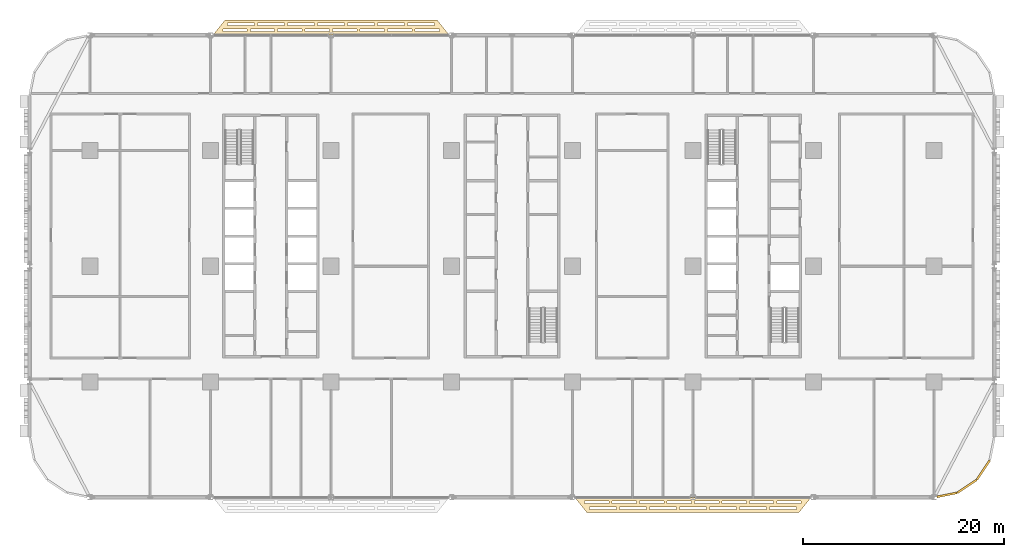
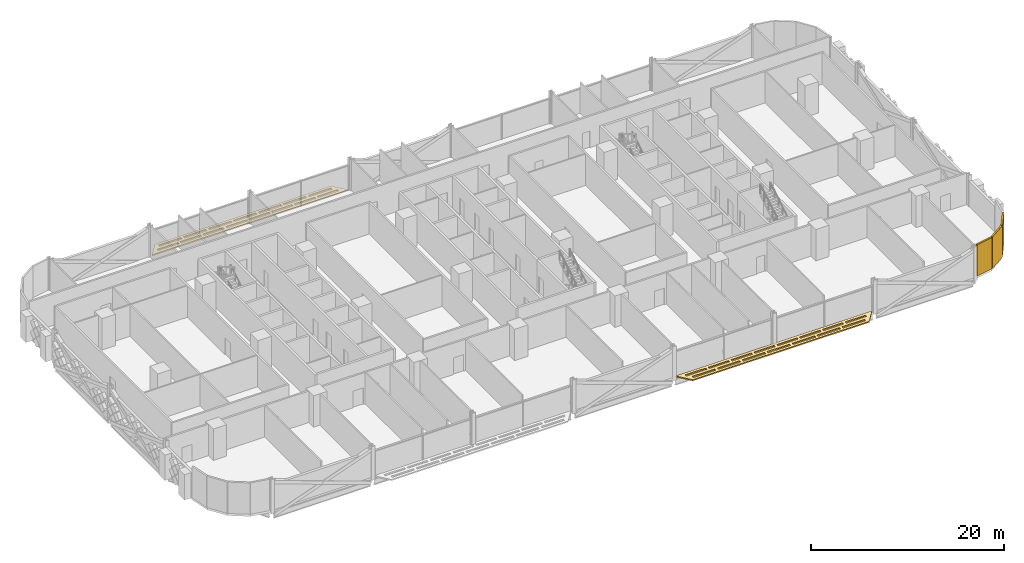
# One storey, part 26 of 29: 5 coverings.
"""IFC4 building model written with IfcOpenShell, lengths in metres."""

from ifc_helpers import new_model, si_unit, direction, frame, origin, origin_2d, place, context, subcontext, project, spatial, polyline, rectangle, outline, extrude, material, layer, layer_set, type_object, element, save


model = new_model("IFC4")

# Units and contexts
model_context = context("Model", 3, precision=1e-05, world=origin(), true_north=direction((0.0, 1.0)))
body_context = subcontext(model_context, "Body", "Model", "MODEL_VIEW")
ifc_project = project(units=[si_unit("LENGTHUNIT", "METRE"), si_unit("AREAUNIT", "SQUARE_METRE"), si_unit("VOLUMEUNIT", "CUBIC_METRE"), si_unit("PLANEANGLEUNIT", "RADIAN"), si_unit("MASSUNIT", "GRAM", prefix="KILO")], contexts=[model_context])

# Site, building, storey
site_placement = place(None, origin())
site = spatial("IfcSite", under=ifc_project, at=site_placement, CompositionType="ELEMENT")
building_placement = place(site_placement, origin())
building = spatial("IfcBuilding", under=site, at=building_placement, Name="Mahtab Terrace Research Tower", CompositionType="ELEMENT")
storey_placement = place(building_placement, frame((0.0, 0.0, 20.10009765625)))
storey = spatial("IfcBuildingStorey", under=building, at=storey_placement, Name="L04", CompositionType="ELEMENT", Elevation=20.10009765625)

# Coverings
ifc_material_1 = material(Name="Black aluminium cladding panel", Category="aluminium")
ifc_layer_1 = layer(ifc_material_1, 0.199951171875)
ifc_layer_set_1 = layer_set([ifc_layer_1], Name="Black metal corner cladding 200")
covering_type_1 = type_object("IfcCoveringType", Name="Black metal corner cladding 200", PredefinedType="CLADDING", material=ifc_layer_set_1)
covering_1_placement = place(storey_placement, frame((43.28173828125, -22.744873046875, 0.0), z_axis=(0.0, 0.0, 1.0), x_axis=(0.980760981187, 0.195212442692, 0.0)))
element("IfcCovering", 1, at=covering_1_placement, inside=storey, type_object=covering_type_1, Name="Corner cladding L04 29", PredefinedType="CLADDING", context=body_context, shape_type="SweptSolid", body=[
    extrude(rectangle(XDim=2.0283203125, YDim=0.199951171875, at=origin_2d()), origin(), (0.0, 0.0, 1.0), 3.9599609375),
])
for number, where, z_axis, x_axis, name in (
    (2, (45.26953125, -21.89306640625, 0.0), (0.0, 0.0, 1.0), (0.831655794326, 0.555291490808, 0.0), "Corner cladding L04 30"),
    (3, (46.89306640625, -20.26953125, 0.0), (0.0, 0.0, 1.0), (0.555291490808, 0.831655794326, 0.0), "Corner cladding L04 31"),
):
    element("IfcCovering", number, at=place(storey_placement, frame(where, z_axis=z_axis, x_axis=x_axis)), inside=storey, type_object=covering_type_1, Name=name, PredefinedType="CLADDING", context=body_context, shape_type="SweptSolid", body=[
        extrude(rectangle(XDim=2.30126953125, YDim=0.199951171875, at=origin_2d()), origin(), (0.0, 0.0, 1.0), 3.9599609375),
    ])
ifc_material_2 = material(Name="Black anodised aluminium", Category="aluminium")
ifc_layer_2 = layer(ifc_material_2, 0.14990234375)
ifc_layer_set_2 = layer_set([ifc_layer_2], Name="Horizontal sunshade band")
covering_type_2 = type_object("IfcCoveringType", Name="Horizontal sunshade band", PredefinedType="CLADDING", material=ifc_layer_set_2)
covering_2_placement = place(storey_placement, frame((0.0, 0.0, -0.150146484375)))
element("IfcCovering", 4, at=covering_2_placement, inside=storey, type_object=covering_type_2, Name="Sunshade band L04 7", PredefinedType="CLADDING", context=body_context, shape_type="SweptSolid", body=[
    extrude(outline(polyline([(-6.2490234375, 23.0), (-29.7509765625, 23.0), (-28.551025390625, 24.5), (-7.448974609375, 24.5), (-6.2490234375, 23.0)]), holes=[polyline([(-7.22900390625, 23.35009765625), (-9.658935546875, 23.35009765625), (-9.658935546875, 23.60009765625), (-7.22900390625, 23.60009765625), (-7.22900390625, 23.35009765625)]), polyline([(-9.958984375, 23.35009765625), (-12.388916015625, 23.35009765625), (-12.388916015625, 23.60009765625), (-9.958984375, 23.60009765625), (-9.958984375, 23.35009765625)]), polyline([(-12.68896484375, 23.35009765625), (-15.1201171875, 23.35009765625), (-15.1201171875, 23.60009765625), (-12.68896484375, 23.60009765625), (-12.68896484375, 23.35009765625)]), polyline([(-15.419921875, 23.35009765625), (-17.85009765625, 23.35009765625), (-17.85009765625, 23.60009765625), (-15.419921875, 23.60009765625), (-15.419921875, 23.35009765625)]), polyline([(-18.14990234375, 23.35009765625), (-20.580078125, 23.35009765625), (-20.580078125, 23.60009765625), (-18.14990234375, 23.60009765625), (-18.14990234375, 23.35009765625)]), polyline([(-20.8798828125, 23.35009765625), (-23.31005859375, 23.35009765625), (-23.31005859375, 23.60009765625), (-20.8798828125, 23.60009765625), (-20.8798828125, 23.35009765625)]), polyline([(-23.611083984375, 23.35009765625), (-26.041015625, 23.35009765625), (-26.041015625, 23.60009765625), (-23.611083984375, 23.60009765625), (-23.611083984375, 23.35009765625)]), polyline([(-26.341064453125, 23.35009765625), (-28.77099609375, 23.35009765625), (-28.77099609375, 23.60009765625), (-26.341064453125, 23.60009765625), (-26.341064453125, 23.35009765625)]), polyline([(-7.708984375, 23.949951171875), (-10.39208984375, 23.949951171875), (-10.39208984375, 24.199951171875), (-7.708984375, 24.199951171875), (-7.708984375, 23.949951171875)]), polyline([(-10.69189453125, 23.949951171875), (-13.375, 23.949951171875), (-13.375, 24.199951171875), (-10.69189453125, 24.199951171875), (-10.69189453125, 23.949951171875)]), polyline([(-13.675048828125, 23.949951171875), (-16.35791015625, 23.949951171875), (-16.35791015625, 24.199951171875), (-13.675048828125, 24.199951171875), (-13.675048828125, 23.949951171875)]), polyline([(-16.657958984375, 23.949951171875), (-19.342041015625, 23.949951171875), (-19.342041015625, 24.199951171875), (-16.657958984375, 24.199951171875), (-16.657958984375, 23.949951171875)]), polyline([(-19.64208984375, 23.949951171875), (-22.324951171875, 23.949951171875), (-22.324951171875, 24.199951171875), (-19.64208984375, 24.199951171875), (-19.64208984375, 23.949951171875)]), polyline([(-22.625, 23.949951171875), (-25.30810546875, 23.949951171875), (-25.30810546875, 24.199951171875), (-22.625, 24.199951171875), (-22.625, 23.949951171875)]), polyline([(-25.60791015625, 23.949951171875), (-28.291015625, 23.949951171875), (-28.291015625, 24.199951171875), (-25.60791015625, 24.199951171875), (-25.60791015625, 23.949951171875)])]), origin(), (0.0, 0.0, 1.0), 0.150146484375),
])
covering_3_placement = place(storey_placement, frame((0.0, 0.0, -0.150146484375)))
element("IfcCovering", 5, at=covering_3_placement, inside=storey, type_object=covering_type_2, Name="Sunshade band L04 26", PredefinedType="CLADDING", context=body_context, shape_type="SweptSolid", body=[
    extrude(outline(polyline([(6.2490234375, -23.0), (29.7509765625, -23.0), (28.551025390625, -24.5), (7.448974609375, -24.5), (6.2490234375, -23.0)]), holes=[polyline([(7.22900390625, -23.35009765625), (9.658935546875, -23.35009765625), (9.658935546875, -23.60009765625), (7.22900390625, -23.60009765625), (7.22900390625, -23.35009765625)]), polyline([(9.958984375, -23.35009765625), (12.388916015625, -23.35009765625), (12.388916015625, -23.60009765625), (9.958984375, -23.60009765625), (9.958984375, -23.35009765625)]), polyline([(12.68896484375, -23.35009765625), (15.1201171875, -23.35009765625), (15.1201171875, -23.60009765625), (12.68896484375, -23.60009765625), (12.68896484375, -23.35009765625)]), polyline([(15.419921875, -23.35009765625), (17.85009765625, -23.35009765625), (17.85009765625, -23.60009765625), (15.419921875, -23.60009765625), (15.419921875, -23.35009765625)]), polyline([(18.14990234375, -23.35009765625), (20.580078125, -23.35009765625), (20.580078125, -23.60009765625), (18.14990234375, -23.60009765625), (18.14990234375, -23.35009765625)]), polyline([(20.8798828125, -23.35009765625), (23.31005859375, -23.35009765625), (23.31005859375, -23.60009765625), (20.8798828125, -23.60009765625), (20.8798828125, -23.35009765625)]), polyline([(23.611083984375, -23.35009765625), (26.041015625, -23.35009765625), (26.041015625, -23.60009765625), (23.611083984375, -23.60009765625), (23.611083984375, -23.35009765625)]), polyline([(26.341064453125, -23.35009765625), (28.77099609375, -23.35009765625), (28.77099609375, -23.60009765625), (26.341064453125, -23.60009765625), (26.341064453125, -23.35009765625)]), polyline([(7.708984375, -23.949951171875), (10.39208984375, -23.949951171875), (10.39208984375, -24.199951171875), (7.708984375, -24.199951171875), (7.708984375, -23.949951171875)]), polyline([(10.69189453125, -23.949951171875), (13.375, -23.949951171875), (13.375, -24.199951171875), (10.69189453125, -24.199951171875), (10.69189453125, -23.949951171875)]), polyline([(13.675048828125, -23.949951171875), (16.35791015625, -23.949951171875), (16.35791015625, -24.199951171875), (13.675048828125, -24.199951171875), (13.675048828125, -23.949951171875)]), polyline([(16.657958984375, -23.949951171875), (19.342041015625, -23.949951171875), (19.342041015625, -24.199951171875), (16.657958984375, -24.199951171875), (16.657958984375, -23.949951171875)]), polyline([(19.64208984375, -23.949951171875), (22.324951171875, -23.949951171875), (22.324951171875, -24.199951171875), (19.64208984375, -24.199951171875), (19.64208984375, -23.949951171875)]), polyline([(22.625, -23.949951171875), (25.30810546875, -23.949951171875), (25.30810546875, -24.199951171875), (22.625, -24.199951171875), (22.625, -23.949951171875)]), polyline([(25.60791015625, -23.949951171875), (28.291015625, -23.949951171875), (28.291015625, -24.199951171875), (25.60791015625, -24.199951171875), (25.60791015625, -23.949951171875)])]), origin(), (0.0, 0.0, 1.0), 0.150146484375),
])

save(model, "model.ifc")
